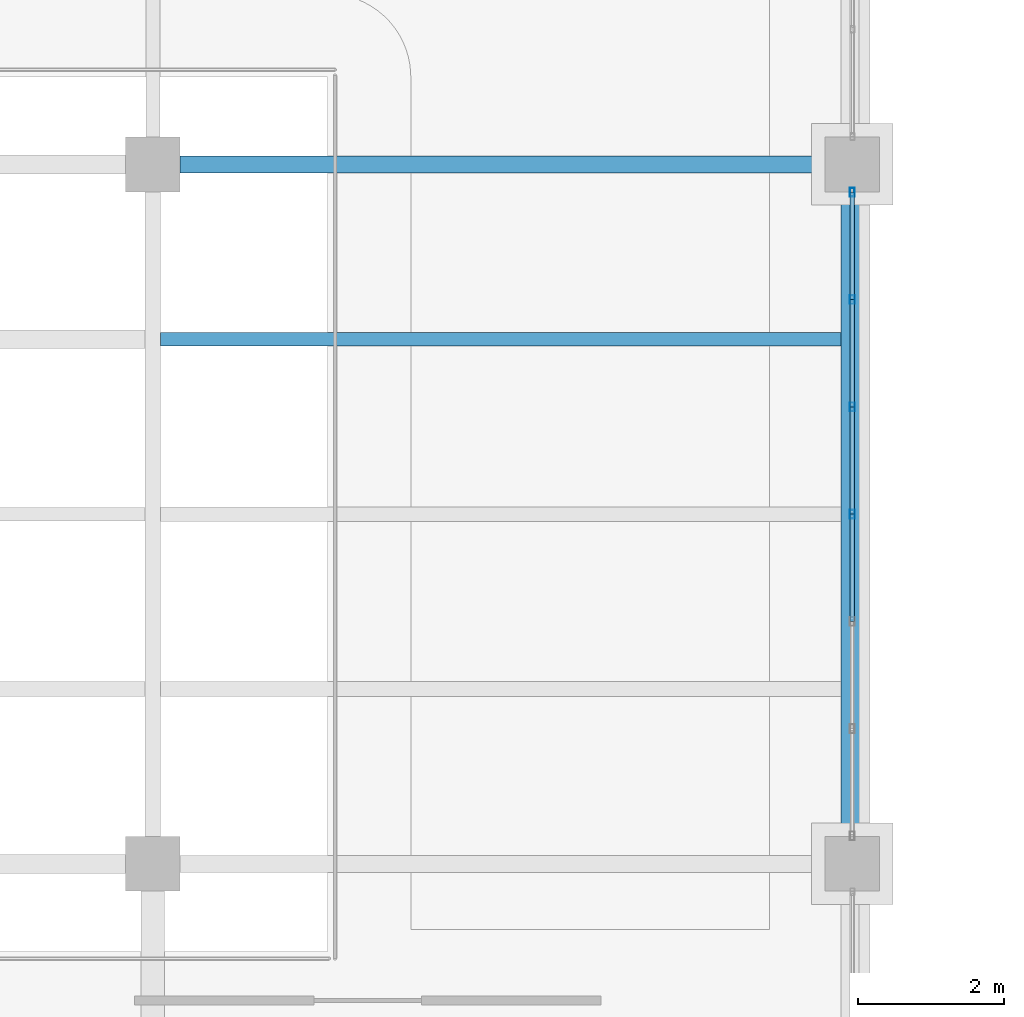
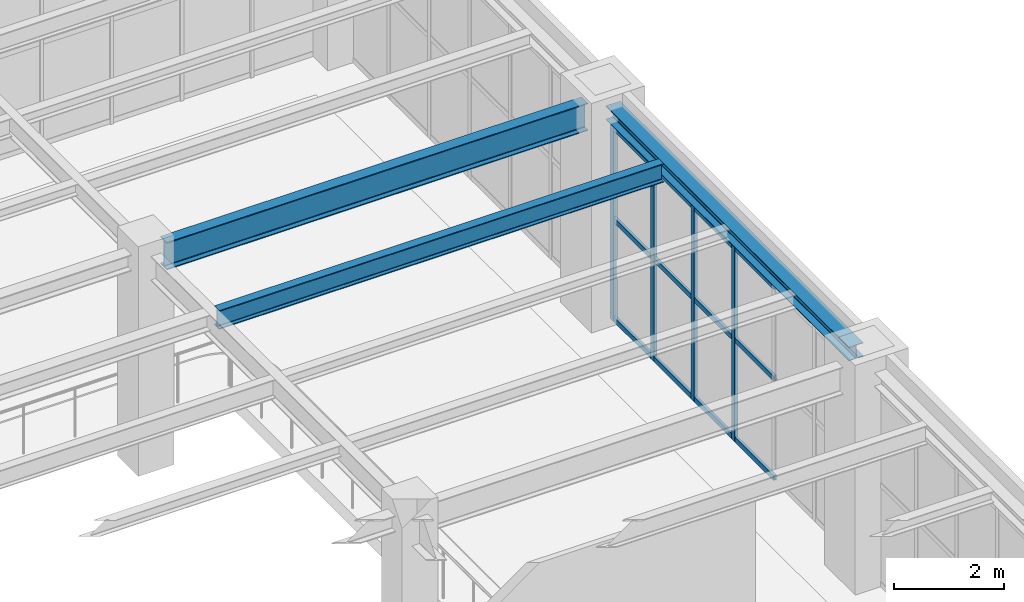
# One storey, part 26 of 174: 16 members, 3 beams, 1 element without a shape of its own.
"""IFC4 building model written with IfcOpenShell, lengths in metres."""

from ifc_helpers import new_model, si_unit, direction, frame, origin, origin_2d, place, context, subcontext, project, spatial, hollow_rectangle, i_section, extrude, material, material_profile, profile_set, type_object, element, aggregate, save


model = new_model("IFC4")

# Units and contexts
model_context = context("Model", 3, precision=1e-05, world=origin(), true_north=direction((0.0, 1.0)))
body_context = subcontext(model_context, "Body", "Model", "MODEL_VIEW")
ifc_project = project(units=[si_unit("LENGTHUNIT", "METRE"), si_unit("AREAUNIT", "SQUARE_METRE"), si_unit("VOLUMEUNIT", "CUBIC_METRE"), si_unit("PLANEANGLEUNIT", "RADIAN"), si_unit("MASSUNIT", "GRAM", prefix="KILO")], contexts=[model_context])

# Site, building, storey
site_placement = place(None, origin())
site = spatial("IfcSite", under=ifc_project, at=site_placement, CompositionType="ELEMENT")
building_placement = place(site_placement, origin())
building = spatial("IfcBuilding", under=site, at=building_placement, Name="Mavantir Sound Aquarium", CompositionType="ELEMENT")
storey_placement = place(building_placement, frame((0.0, 0.0, 5.39990234375)))
storey = spatial("IfcBuildingStorey", under=building, at=storey_placement, Name="L01", CompositionType="ELEMENT", Elevation=5.39990234375)

# Beams
ifc_material_1 = material(Name="Structural Steel ASTM A992 Gr50", Category="steel")
ifc_material_profile_1 = material_profile(ifc_material_1, i_section(OverallWidth=0.304931640625, OverallDepth=0.30810546875, WebThickness=0.010009765625, FlangeThickness=0.015380859375, FilletRadius=0.014892578125, at=origin_2d()), Name="W310X97")
ifc_profile_set_1 = profile_set([ifc_material_profile_1], Name="Structural Steel ASTM A992 Gr50")
beam_type_1 = type_object("IfcBeamType", Name="BM-W310X97-E", PredefinedType="SPANDREL", material=ifc_profile_set_1)
beam_1_placement = place(storey_placement, frame((38.39990234375, 9.97509765625, 4.64208984375), z_axis=(0.0, 1.0, 0.0), x_axis=(-1.0, 0.0, 0.0)))
element("IfcBeam", 1, at=beam_1_placement, inside=storey, type_object=beam_type_1, Name="L01 primary girder SS-31A 1235", PredefinedType="SPANDREL", context=body_context, shape_type="SweptSolid", body=[
    extrude(i_section(OverallWidth=0.304931640625, OverallDepth=0.30810546875, WebThickness=0.010009765625, FlangeThickness=0.015380859375, FilletRadius=0.014892578125, at=origin_2d()), origin(), (0.0, 0.0, 1.0), 8.849853515625),
])
ifc_material_profile_2 = material_profile(ifc_material_1, i_section(OverallWidth=0.180908203125, OverallDepth=0.4169921875, WebThickness=0.010986328125, FlangeThickness=0.018310546875, FilletRadius=0.014892578125, at=origin_2d()), Name="W410X85")
ifc_profile_set_2 = profile_set([ifc_material_profile_2], Name="Structural Steel ASTM A992 Gr50")
beam_type_2 = type_object("IfcBeamType", Name="BM-W410X85-I", PredefinedType="JOIST", material=ifc_profile_set_2)
beam_2_placement = place(storey_placement, frame((28.906005859375, 16.800048828125, 4.587646484375), z_axis=(1.0, 0.0, 0.0), x_axis=(0.0, 1.0, 0.0)))
element("IfcBeam", 2, at=beam_2_placement, inside=storey, type_object=beam_type_2, Name="L01 secondary floor joist SJ-41 709", PredefinedType="JOIST", context=body_context, shape_type="SweptSolid", body=[
    extrude(i_section(OverallWidth=0.180908203125, OverallDepth=0.4169921875, WebThickness=0.010986328125, FlangeThickness=0.018310546875, FilletRadius=0.014892578125, at=origin_2d()), origin(), (0.0, 0.0, 1.0), 9.341552734375),
])
ifc_material_profile_3 = material_profile(ifc_material_1, i_section(OverallWidth=0.22900390625, OverallDepth=0.612060546875, WebThickness=0.011962890625, FlangeThickness=0.01953125, FilletRadius=0.01904296875, at=origin_2d()), Name="W610X125")
ifc_profile_set_3 = profile_set([ifc_material_profile_3], Name="Structural Steel ASTM A992 Gr50")
beam_type_3 = type_object("IfcBeamType", Name="BM-W610X125-I", PredefinedType="BEAM", material=ifc_profile_set_3)
beam_3_placement = place(storey_placement, frame((29.175048828125, 19.199951171875, 4.47021484375), z_axis=(1.0, 0.0, 0.0), x_axis=(0.0, 1.0, 0.0)))
element("IfcBeam", 3, at=beam_3_placement, inside=storey, type_object=beam_type_3, Name="L01 primary beam SB-61B 1217", PredefinedType="BEAM", context=body_context, shape_type="SweptSolid", body=[
    extrude(i_section(OverallWidth=0.22900390625, OverallDepth=0.612060546875, WebThickness=0.011962890625, FlangeThickness=0.01953125, FilletRadius=0.01904296875, at=origin_2d()), origin(), (0.0, 0.0, 1.0), 8.849853515625),
])

# Curtain wall, members
ifc_material_2 = material(Name="Anodised Marine Aluminium and Low-E Glass", Category="aluminium")
curtain_wall_type = type_object("IfcCurtainWallType", Name="CW-T20", PredefinedType="USERDEFINED", material=ifc_material_2)
curtain_wall_placement = place(storey_placement, origin())
curtain_wall = element("IfcCurtainWall", 4, at=curtain_wall_placement, inside=storey, type_object=curtain_wall_type, Name="L01 unitised curtain wall CW-20 68", ObjectType="UNITISED GLAZING", PredefinedType="USERDEFINED")
ifc_material_3 = material(Name="Anodised Marine Aluminium 6063-T6", Category="aluminium")
ifc_material_profile_4 = material_profile(ifc_material_3, hollow_rectangle(XDim=0.06494140625, YDim=0.1201171875, WallThickness=0.00390625, at=origin_2d()), Name="ALU-MULLION-120X65")
ifc_profile_set_4 = profile_set([ifc_material_profile_4], Name="Anodised Marine Aluminium 6063-T6")
member_type_1 = type_object("IfcMemberType", Name="CW-MUL-120", PredefinedType="MULLION", material=ifc_profile_set_4)
member_1_placement = place(storey_placement, frame((38.39990234375, 14.39990234375, 0.0), z_axis=(0.0, 0.0, 1.0), x_axis=(1.0, 0.0, 0.0)))
member_1 = element("IfcMember", 5, at=member_1_placement, type_object=member_type_1, Name="CW-L01-068 vertical mullion 4", PredefinedType="MULLION", context=body_context, shape_type="SweptSolid", body=[
    extrude(hollow_rectangle(XDim=0.06494140625, YDim=0.1201171875, WallThickness=0.00390625, at=origin_2d()), origin(), (0.0, 0.0, 1.0), 4.34912109375),
])
member_2_placement = place(storey_placement, frame((38.39990234375, 15.872314453125, 0.0), z_axis=(0.0, 0.0, 1.0), x_axis=(1.0, 0.0, 0.0)))
member_2 = element("IfcMember", 6, at=member_2_placement, type_object=member_type_1, Name="CW-L01-068 vertical mullion 5", PredefinedType="MULLION", context=body_context, shape_type="SweptSolid", body=[
    extrude(hollow_rectangle(XDim=0.06494140625, YDim=0.1201171875, WallThickness=0.00390625, at=origin_2d()), origin(), (0.0, 0.0, 1.0), 4.34912109375),
])
member_3_placement = place(storey_placement, frame((38.39990234375, 17.3447265625, 0.0), z_axis=(0.0, 0.0, 1.0), x_axis=(1.0, 0.0, 0.0)))
member_3 = element("IfcMember", 7, at=member_3_placement, type_object=member_type_1, Name="CW-L01-068 vertical mullion 6", PredefinedType="MULLION", context=body_context, shape_type="SweptSolid", body=[
    extrude(hollow_rectangle(XDim=0.06494140625, YDim=0.1201171875, WallThickness=0.00390625, at=origin_2d()), origin(), (0.0, 0.0, 1.0), 4.34912109375),
])
member_4_placement = place(storey_placement, frame((38.39990234375, 18.81689453125, 0.0), z_axis=(0.0, 0.0, 1.0), x_axis=(1.0, 0.0, 0.0)))
member_4 = element("IfcMember", 8, at=member_4_placement, type_object=member_type_1, Name="CW-L01-068 vertical mullion 7", PredefinedType="MULLION", context=body_context, shape_type="SweptSolid", body=[
    extrude(hollow_rectangle(XDim=0.06494140625, YDim=0.1201171875, WallThickness=0.00390625, at=origin_2d()), origin(), (0.0, 0.0, 1.0), 4.34912109375),
])
ifc_material_profile_5 = material_profile(ifc_material_3, hollow_rectangle(XDim=0.06005859375, YDim=0.110107421875, WallThickness=0.00390625, at=origin_2d()), Name="ALU-TRANSOM-110X60")
ifc_profile_set_5 = profile_set([ifc_material_profile_5], Name="Anodised Marine Aluminium 6063-T6")
member_type_2 = type_object("IfcMemberType", Name="CW-TRN-110", PredefinedType="USERDEFINED", material=ifc_profile_set_5)
member_5_placement = place(storey_placement, frame((38.39990234375, 12.927734375, 0.05517578125), z_axis=(0.0, 1.0, 0.0), x_axis=(-1.0, 0.0, 0.0)))
member_5 = element("IfcMember", 9, at=member_5_placement, type_object=member_type_2, Name="CW-L01-068 transom 3.1", ObjectType="TRANSOM", PredefinedType="USERDEFINED", context=body_context, shape_type="SweptSolid", body=[
    extrude(hollow_rectangle(XDim=0.06005859375, YDim=0.110107421875, WallThickness=0.00390625, at=origin_2d()), origin(), (0.0, 0.0, 1.0), 1.47216796875),
])
member_6_placement = place(storey_placement, frame((38.39990234375, 12.927734375, 2.26171875), z_axis=(0.0, 1.0, 0.0), x_axis=(-1.0, 0.0, 0.0)))
member_6 = element("IfcMember", 10, at=member_6_placement, type_object=member_type_2, Name="CW-L01-068 transom 3.2", ObjectType="TRANSOM", PredefinedType="USERDEFINED", context=body_context, shape_type="SweptSolid", body=[
    extrude(hollow_rectangle(XDim=0.06005859375, YDim=0.110107421875, WallThickness=0.00390625, at=origin_2d()), origin(), (0.0, 0.0, 1.0), 1.47216796875),
])
member_7_placement = place(storey_placement, frame((38.39990234375, 12.927734375, 4.294189453125), z_axis=(0.0, 1.0, 0.0), x_axis=(-1.0, 0.0, 0.0)))
member_7 = element("IfcMember", 11, at=member_7_placement, type_object=member_type_2, Name="CW-L01-068 transom 3.3", ObjectType="TRANSOM", PredefinedType="USERDEFINED", context=body_context, shape_type="SweptSolid", body=[
    extrude(hollow_rectangle(XDim=0.06005859375, YDim=0.110107421875, WallThickness=0.00390625, at=origin_2d()), origin(), (0.0, 0.0, 1.0), 1.47216796875),
])
member_8_placement = place(storey_placement, frame((38.39990234375, 14.39990234375, 0.05517578125), z_axis=(0.0, 1.0, 0.0), x_axis=(-1.0, 0.0, 0.0)))
member_8 = element("IfcMember", 12, at=member_8_placement, type_object=member_type_2, Name="CW-L01-068 transom 4.1", ObjectType="TRANSOM", PredefinedType="USERDEFINED", context=body_context, shape_type="SweptSolid", body=[
    extrude(hollow_rectangle(XDim=0.06005859375, YDim=0.110107421875, WallThickness=0.00390625, at=origin_2d()), origin(), (0.0, 0.0, 1.0), 1.472412109375),
])
member_9_placement = place(storey_placement, frame((38.39990234375, 14.39990234375, 2.26171875), z_axis=(0.0, 1.0, 0.0), x_axis=(-1.0, 0.0, 0.0)))
member_9 = element("IfcMember", 13, at=member_9_placement, type_object=member_type_2, Name="CW-L01-068 transom 4.2", ObjectType="TRANSOM", PredefinedType="USERDEFINED", context=body_context, shape_type="SweptSolid", body=[
    extrude(hollow_rectangle(XDim=0.06005859375, YDim=0.110107421875, WallThickness=0.00390625, at=origin_2d()), origin(), (0.0, 0.0, 1.0), 1.472412109375),
])
member_10_placement = place(storey_placement, frame((38.39990234375, 14.39990234375, 4.294189453125), z_axis=(0.0, 1.0, 0.0), x_axis=(-1.0, 0.0, 0.0)))
member_10 = element("IfcMember", 14, at=member_10_placement, type_object=member_type_2, Name="CW-L01-068 transom 4.3", ObjectType="TRANSOM", PredefinedType="USERDEFINED", context=body_context, shape_type="SweptSolid", body=[
    extrude(hollow_rectangle(XDim=0.06005859375, YDim=0.110107421875, WallThickness=0.00390625, at=origin_2d()), origin(), (0.0, 0.0, 1.0), 1.472412109375),
])
member_11_placement = place(storey_placement, frame((38.39990234375, 15.872314453125, 0.05517578125), z_axis=(0.0, 1.0, 0.0), x_axis=(-1.0, 0.0, 0.0)))
member_11 = element("IfcMember", 15, at=member_11_placement, type_object=member_type_2, Name="CW-L01-068 transom 5.1", ObjectType="TRANSOM", PredefinedType="USERDEFINED", context=body_context, shape_type="SweptSolid", body=[
    extrude(hollow_rectangle(XDim=0.06005859375, YDim=0.110107421875, WallThickness=0.00390625, at=origin_2d()), origin(), (0.0, 0.0, 1.0), 1.472412109375),
])
member_12_placement = place(storey_placement, frame((38.39990234375, 15.872314453125, 2.26171875), z_axis=(0.0, 1.0, 0.0), x_axis=(-1.0, 0.0, 0.0)))
member_12 = element("IfcMember", 16, at=member_12_placement, type_object=member_type_2, Name="CW-L01-068 transom 5.2", ObjectType="TRANSOM", PredefinedType="USERDEFINED", context=body_context, shape_type="SweptSolid", body=[
    extrude(hollow_rectangle(XDim=0.06005859375, YDim=0.110107421875, WallThickness=0.00390625, at=origin_2d()), origin(), (0.0, 0.0, 1.0), 1.472412109375),
])
member_13_placement = place(storey_placement, frame((38.39990234375, 15.872314453125, 4.294189453125), z_axis=(0.0, 1.0, 0.0), x_axis=(-1.0, 0.0, 0.0)))
member_13 = element("IfcMember", 17, at=member_13_placement, type_object=member_type_2, Name="CW-L01-068 transom 5.3", ObjectType="TRANSOM", PredefinedType="USERDEFINED", context=body_context, shape_type="SweptSolid", body=[
    extrude(hollow_rectangle(XDim=0.06005859375, YDim=0.110107421875, WallThickness=0.00390625, at=origin_2d()), origin(), (0.0, 0.0, 1.0), 1.472412109375),
])
member_14_placement = place(storey_placement, frame((38.39990234375, 17.3447265625, 0.05517578125), z_axis=(0.0, 1.0, 0.0), x_axis=(-1.0, 0.0, 0.0)))
member_14 = element("IfcMember", 18, at=member_14_placement, type_object=member_type_2, Name="CW-L01-068 transom 6.1", ObjectType="TRANSOM", PredefinedType="USERDEFINED", context=body_context, shape_type="SweptSolid", body=[
    extrude(hollow_rectangle(XDim=0.06005859375, YDim=0.110107421875, WallThickness=0.00390625, at=origin_2d()), origin(), (0.0, 0.0, 1.0), 1.47216796875),
])
member_15_placement = place(storey_placement, frame((38.39990234375, 17.3447265625, 2.26171875), z_axis=(0.0, 1.0, 0.0), x_axis=(-1.0, 0.0, 0.0)))
member_15 = element("IfcMember", 19, at=member_15_placement, type_object=member_type_2, Name="CW-L01-068 transom 6.2", ObjectType="TRANSOM", PredefinedType="USERDEFINED", context=body_context, shape_type="SweptSolid", body=[
    extrude(hollow_rectangle(XDim=0.06005859375, YDim=0.110107421875, WallThickness=0.00390625, at=origin_2d()), origin(), (0.0, 0.0, 1.0), 1.47216796875),
])
member_16_placement = place(storey_placement, frame((38.39990234375, 17.3447265625, 4.294189453125), z_axis=(0.0, 1.0, 0.0), x_axis=(-1.0, 0.0, 0.0)))
member_16 = element("IfcMember", 20, at=member_16_placement, type_object=member_type_2, Name="CW-L01-068 transom 6.3", ObjectType="TRANSOM", PredefinedType="USERDEFINED", context=body_context, shape_type="SweptSolid", body=[
    extrude(hollow_rectangle(XDim=0.06005859375, YDim=0.110107421875, WallThickness=0.00390625, at=origin_2d()), origin(), (0.0, 0.0, 1.0), 1.47216796875),
])
aggregate(curtain_wall, [member_1, member_2, member_3, member_4, member_5, member_6, member_7, member_8, member_9, member_10, member_11, member_12, member_13, member_14, member_15, member_16])

save(model, "model.ifc")
